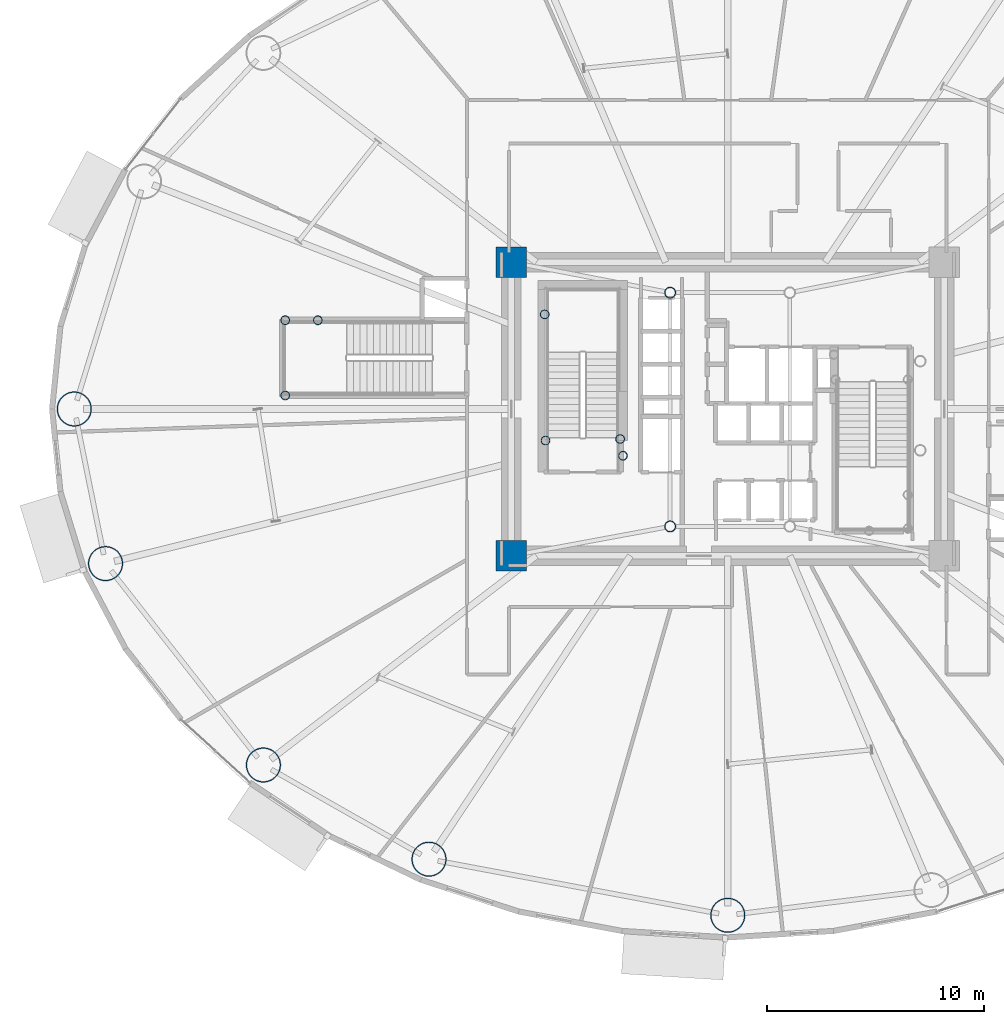
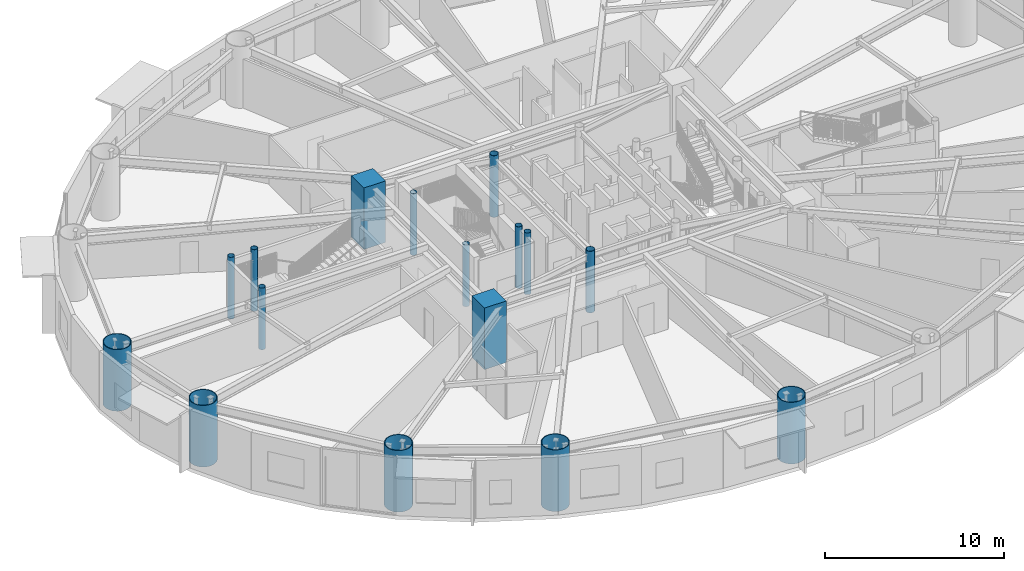
# One storey, part 1 of 32: 16 columns.
"""IFC4 building model written with IfcOpenShell, lengths in metres."""

from ifc_helpers import new_model, si_unit, direction, frame, origin, origin_2d, place, context, subcontext, project, spatial, rectangle, hollow_circle, extrude, material, material_profile, profile_set, type_object, element, save


model = new_model("IFC4")

# Units and contexts
model_context = context("Model", 3, precision=1e-05, world=origin(), true_north=direction((0.0, 1.0)))
body_context = subcontext(model_context, "Body", "Model", "MODEL_VIEW")
ifc_project = project(units=[si_unit("LENGTHUNIT", "METRE"), si_unit("AREAUNIT", "SQUARE_METRE"), si_unit("VOLUMEUNIT", "CUBIC_METRE"), si_unit("PLANEANGLEUNIT", "RADIAN"), si_unit("MASSUNIT", "GRAM", prefix="KILO")], contexts=[model_context])

# Site, building, storey
site_placement = place(None, origin())
site = spatial("IfcSite", under=ifc_project, at=site_placement, CompositionType="ELEMENT")
building_placement = place(site_placement, origin())
building = spatial("IfcBuilding", under=site, at=building_placement, Name="Linh Dai School and Residence Tower", CompositionType="ELEMENT")
storey_placement = place(building_placement, frame((0.0, 0.0, 53.39990234375)))
storey = spatial("IfcBuildingStorey", under=building, at=storey_placement, Name="L12", CompositionType="ELEMENT", Elevation=53.39990234375)

# Columns
ifc_material_1 = material(Name="Concrete B60 (C50/60)", Category="concrete")
ifc_material_profile_1 = material_profile(ifc_material_1, rectangle(XDim=1.39990234375, YDim=1.39990234375, at=origin_2d()), Name="RC 1400x1400")
ifc_profile_set_1 = profile_set([ifc_material_profile_1], Name="Concrete B60 (C50/60)")
column_type_1 = type_object("IfcColumnType", Name="COL-CC1", PredefinedType="COLUMN", material=ifc_profile_set_1)
for number, where, z_axis, x_axis, name in (
    (1, (26.050048828125, 20.25, 0.0), (0.0, 0.0, 1.0), (1.0, 0.0, 0.0), "L12 Core Corner Pier CC1"),
    (2, (26.050048828125, 33.75, 0.0), (0.0, 0.0, 1.0), (1.0, 0.0, 0.0), "L12 Core Corner Pier CC4"),
):
    element("IfcColumn", number, at=place(storey_placement, frame(where, z_axis=z_axis, x_axis=x_axis)), inside=storey, type_object=column_type_1, Name=name, PredefinedType="COLUMN", context=body_context, shape_type="SweptSolid", body=[
        extrude(rectangle(XDim=1.39990234375, YDim=1.39990234375, at=origin_2d()), origin(), (0.0, 0.0, 1.0), 4.2001953125),
    ])
ifc_material_2 = material(Name="Structural Steel S355JR", Category="steel")
ifc_material_profile_2 = material_profile(ifc_material_2, hollow_circle(Radius=0.203125, WallThickness=0.01611328125, at=origin_2d()), Name="CHS 406.4x16")
ifc_profile_set_2 = profile_set([ifc_material_profile_2], Name="Structural Steel S355JR")
column_type_2 = type_object("IfcColumnType", Name="COL-EC", PredefinedType="COLUMN", material=ifc_profile_set_2)
for number, where, z_axis, x_axis, name in (
    (3, (27.580078125, 31.35009765625, 0.0), (0.0, 0.0, 1.0), (1.0, 0.0, 0.0), "L12 Stair Shaft Landing Support Pier ST1NW"),
    (4, (31.050048828125, 25.6201171875, 0.0), (0.0, 0.0, 1.0), (1.0, 0.0, 0.0), "L12 Stair Shaft Landing Support Pier ST1SE"),
    (5, (31.179931640625, 24.85009765625, 0.0), (0.0, 0.0, 1.0), (1.0, 0.0, 0.0), "L12 Stair Shaft Landing Support Pier ST1SM"),
    (6, (27.6201171875, 25.550048828125, 0.0), (0.0, 0.0, 1.0), (1.0, 0.0, 0.0), "L12 Stair Shaft Landing Support Pier ST1SW"),
    (7, (15.64990234375, 27.6201171875, 0.0), (0.0, 0.0, 1.0), (1.0, 0.0, 0.0), "L12 Stair Shaft Landing Support Pier STS1SW"),
    (8, (15.64990234375, 31.080078125, 0.0), (0.0, 0.0, 1.0), (1.0, 0.0, 0.0), "L12 Stair Shaft Landing Support Pier STS1NW"),
    (9, (17.14990234375, 31.080078125, 0.0), (0.0, 0.0, 1.0), (1.0, 0.0, 0.0), "L12 Stair Shaft Landing Support Pier STS1ME"),
):
    element("IfcColumn", number, at=place(storey_placement, frame(where, z_axis=z_axis, x_axis=x_axis)), inside=storey, type_object=column_type_2, Name=name, PredefinedType="COLUMN", context=body_context, shape_type="SweptSolid", body=[
        extrude(hollow_circle(Radius=0.203125, WallThickness=0.01611328125, at=origin_2d()), origin(), (0.0, 0.0, 1.0), 4.2001953125),
    ])
ifc_material_profile_3 = material_profile(ifc_material_2, hollow_circle(Radius=0.800048828125, WallThickness=0.044921875, at=origin_2d()), Name="CHS 1600x45")
ifc_profile_set_3 = profile_set([ifc_material_profile_3], Name="Structural Steel S355JR")
column_type_3 = type_object("IfcColumnType", Name="COL-MC2", PredefinedType="COLUMN", material=ifc_profile_set_3)
for number, where, z_axis, x_axis, name in (
    (10, (5.949951171875, 27.0, 0.0), (0.0, 0.0, 1.0), (1.0, 0.0, 0.0), "L12 Perimeter CFT Mega-Column MC09"),
    (11, (7.38916015625, 19.891357421875, 0.0), (0.0, 0.0, 1.0), (1.0, 0.0, 0.0), "L12 Perimeter CFT Mega-Column MC10"),
    (12, (14.647216796875, 10.630859375, 0.0), (0.0, 0.0, 1.0), (1.0, 0.0, 0.0), "L12 Perimeter CFT Mega-Column MC11"),
    (13, (22.26171875, 6.30078125, 0.0), (0.0, 0.0, 1.0), (1.0, 0.0, 0.0), "L12 Perimeter CFT Mega-Column MC12"),
    (14, (36.0, 3.719970703125, 0.0), (0.0, 0.0, 1.0), (1.0, 0.0, 0.0), "L12 Perimeter CFT Mega-Column MC13"),
):
    element("IfcColumn", number, at=place(storey_placement, frame(where, z_axis=z_axis, x_axis=x_axis)), inside=storey, type_object=column_type_3, Name=name, PredefinedType="COLUMN", context=body_context, shape_type="SweptSolid", body=[
        extrude(hollow_circle(Radius=0.800048828125, WallThickness=0.044921875, at=origin_2d()), origin(), (0.0, 0.0, 1.0), 4.2001953125),
    ])
ifc_material_profile_4 = material_profile(ifc_material_2, hollow_circle(Radius=0.25390625, WallThickness=0.02001953125, at=origin_2d()), Name="CHS 508x20")
ifc_profile_set_4 = profile_set([ifc_material_profile_4], Name="Structural Steel S355JR")
column_type_4 = type_object("IfcColumnType", Name="COL-MCP", PredefinedType="COLUMN", material=ifc_profile_set_4)
for number, where, z_axis, x_axis, name in (
    (15, (33.35009765625, 21.60009765625, 0.0), (0.0, 0.0, 1.0), (1.0, 0.0, 0.0), "L12 Core Mast Support Pier MCP1"),
    (16, (33.35009765625, 32.35009765625, 0.0), (0.0, 0.0, 1.0), (1.0, 0.0, 0.0), "L12 Core Mast Support Pier MCP4"),
):
    element("IfcColumn", number, at=place(storey_placement, frame(where, z_axis=z_axis, x_axis=x_axis)), inside=storey, type_object=column_type_4, Name=name, PredefinedType="COLUMN", context=body_context, shape_type="SweptSolid", body=[
        extrude(hollow_circle(Radius=0.25390625, WallThickness=0.02001953125, at=origin_2d()), origin(), (0.0, 0.0, 1.0), 4.2001953125),
    ])

save(model, "model.ifc")
